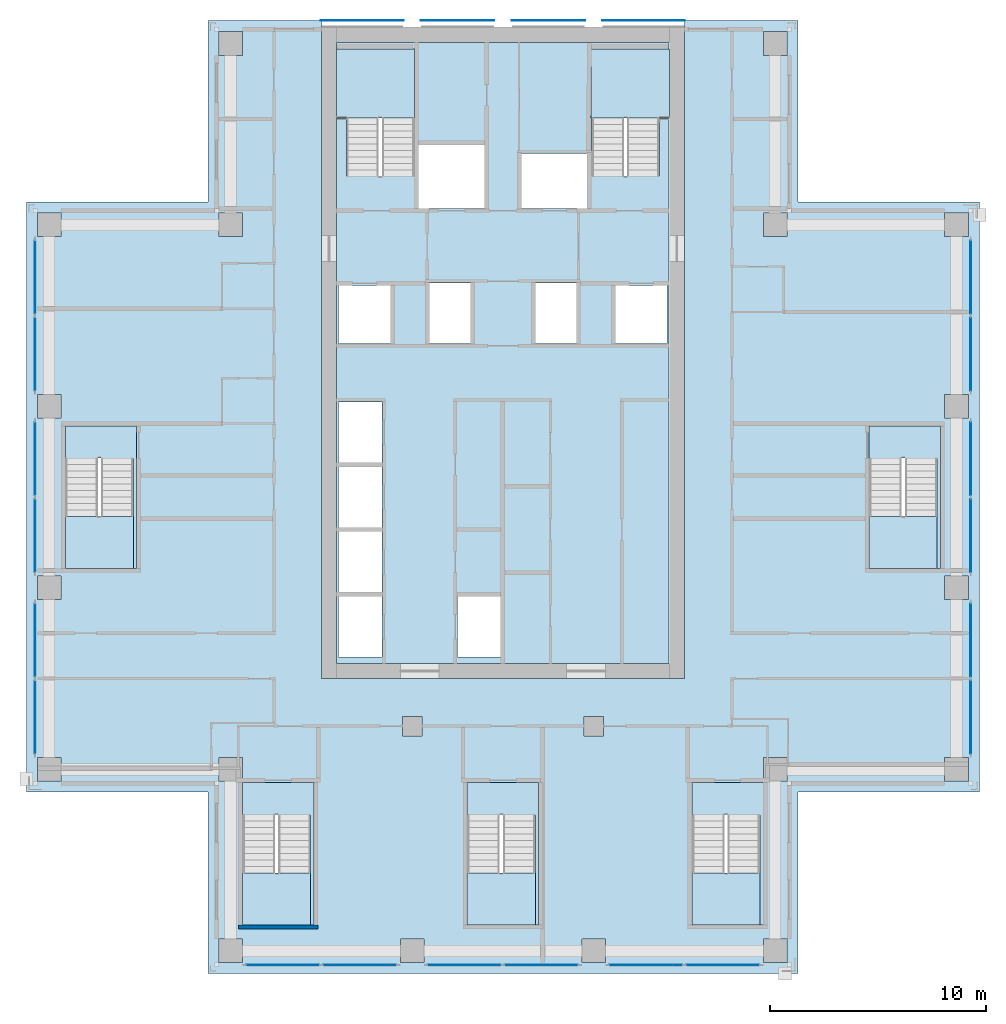
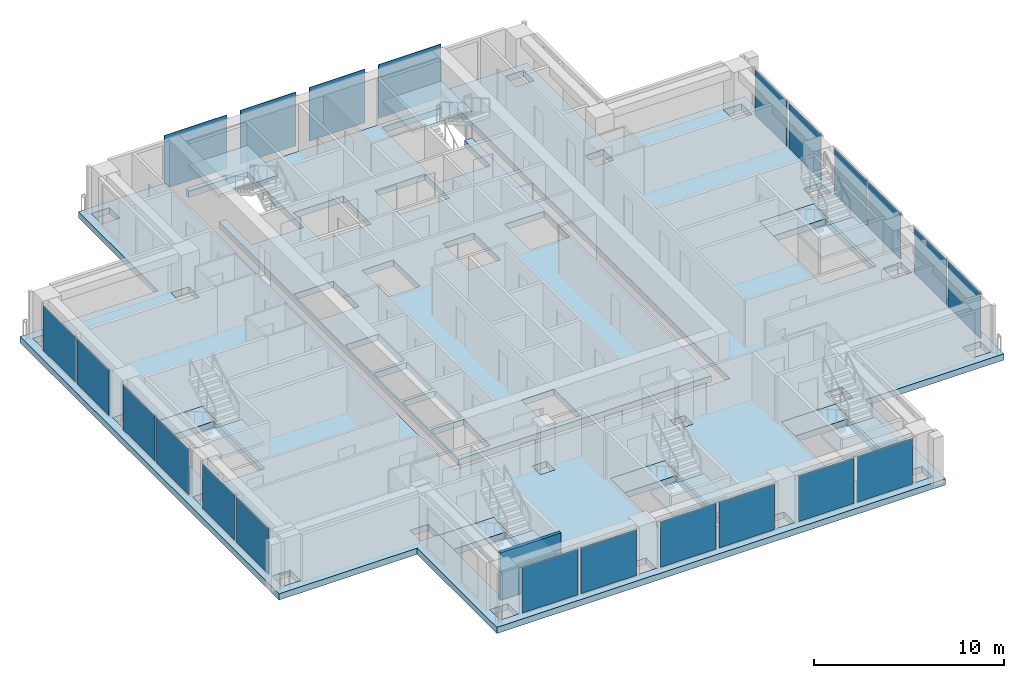
# One storey, part 8 of 16: 22 plates, 14 slabs, 1 wall, 16 elements without a shape of their own.
"""IFC4 building model written with IfcOpenShell, lengths in metres."""

from ifc_helpers import new_model, si_unit, direction, frame, frame_2d, origin, origin_2d, place, context, subcontext, project, spatial, polyline, rectangle, outline, extrude, material, layer, layer_set, type_object, element, aggregate, save


model = new_model("IFC4")

# Units and contexts
model_context = context("Model", 3, precision=1e-05, world=origin(), true_north=direction((0.0, 1.0)))
body_context = subcontext(model_context, "Body", "Model", "MODEL_VIEW")
ifc_project = project(units=[si_unit("LENGTHUNIT", "METRE"), si_unit("AREAUNIT", "SQUARE_METRE"), si_unit("VOLUMEUNIT", "CUBIC_METRE"), si_unit("PLANEANGLEUNIT", "RADIAN"), si_unit("MASSUNIT", "GRAM", prefix="KILO")], contexts=[model_context])

# Site, building, storey
site_placement = place(None, origin())
site = spatial("IfcSite", under=ifc_project, at=site_placement, CompositionType="ELEMENT")
building_placement = place(site_placement, origin())
building = spatial("IfcBuilding", under=site, at=building_placement, Name="Vermilion Ogive Tower", CompositionType="ELEMENT")
storey_placement = place(building_placement, frame((0.0, 0.0, 160.699951171875)))
storey = spatial("IfcBuildingStorey", under=building, at=storey_placement, Name="L41", CompositionType="ELEMENT", Elevation=160.699951171875)

# Curtain wall, plates
ifc_material_1 = material(Name="Low-iron laminated glazing in aluminium frame", Category="aluminium")
curtain_wall_type = type_object("IfcCurtainWallType", Name="Curtain wall CW7", PredefinedType="NOTDEFINED", material=ifc_material_1)
curtain_wall_1_placement = place(storey_placement, origin())
curtain_wall_1 = element("IfcCurtainWall", 1, at=curtain_wall_1_placement, inside=storey, type_object=curtain_wall_type, Name="Glazed skin S1", PredefinedType="NOTDEFINED")
ifc_material_2 = material(Name="Low-iron laminated glazing in aluminium frame", Category="aluminium")
ifc_layer_1 = layer(ifc_material_2, 0.031982421875)
ifc_layer_set_1 = layer_set([ifc_layer_1], Name="CW7 glazing panel 32")
plate_type_1 = type_object("IfcPlateType", Name="CW7 glazing panel 32", PredefinedType="CURTAIN_PANEL", material=ifc_layer_set_1)
plate_1_placement = place(storey_placement, frame((-10.179931640625, -21.64990234375, 0.06005859375), z_axis=(0.0, 0.0, 1.0), x_axis=(1.0, 0.0, 0.0)))
plate_1 = element("IfcPlate", 2, at=plate_1_placement, type_object=plate_type_1, Name="CW7-S1 panel 1.1", PredefinedType="CURTAIN_PANEL", context=body_context, shape_type="SweptSolid", body=[
    extrude(rectangle(XDim=3.3798828125, YDim=0.031982421875, at=origin_2d()), origin(), (0.0, 0.0, 1.0), 2.929931640625),
])
plate_2_placement = place(storey_placement, frame((-6.6201171875, -21.64990234375, 0.06005859375), z_axis=(0.0, 0.0, 1.0), x_axis=(1.0, 0.0, 0.0)))
plate_2 = element("IfcPlate", 3, at=plate_2_placement, type_object=plate_type_1, Name="CW7-S1 panel 2.1", PredefinedType="CURTAIN_PANEL", context=body_context, shape_type="SweptSolid", body=[
    extrude(rectangle(XDim=3.3798828125, YDim=0.031982421875, at=origin_2d()), origin(), (0.0, 0.0, 1.0), 2.929931640625),
])
aggregate(curtain_wall_1, [plate_1, plate_2])

curtain_wall_2_placement = place(storey_placement, origin())
curtain_wall_2 = element("IfcCurtainWall", 4, at=curtain_wall_2_placement, inside=storey, type_object=curtain_wall_type, Name="Glazed skin S2", PredefinedType="NOTDEFINED")
plate_3_placement = place(storey_placement, frame((-1.780029296875, -21.64990234375, 0.06005859375), z_axis=(0.0, 0.0, 1.0), x_axis=(1.0, 0.0, 0.0)))
plate_3 = element("IfcPlate", 5, at=plate_3_placement, type_object=plate_type_1, Name="CW7-S2 panel 1.1", PredefinedType="CURTAIN_PANEL", context=body_context, shape_type="SweptSolid", body=[
    extrude(rectangle(XDim=3.3798828125, YDim=0.031982421875, at=origin_2d()), origin(), (0.0, 0.0, 1.0), 2.929931640625),
])
plate_4_placement = place(storey_placement, frame((1.780029296875, -21.64990234375, 0.06005859375), z_axis=(0.0, 0.0, 1.0), x_axis=(1.0, 0.0, 0.0)))
plate_4 = element("IfcPlate", 6, at=plate_4_placement, type_object=plate_type_1, Name="CW7-S2 panel 2.1", PredefinedType="CURTAIN_PANEL", context=body_context, shape_type="SweptSolid", body=[
    extrude(rectangle(XDim=3.3798828125, YDim=0.031982421875, at=origin_2d()), origin(), (0.0, 0.0, 1.0), 2.929931640625),
])
aggregate(curtain_wall_2, [plate_3, plate_4])

curtain_wall_3_placement = place(storey_placement, origin())
curtain_wall_3 = element("IfcCurtainWall", 7, at=curtain_wall_3_placement, inside=storey, type_object=curtain_wall_type, Name="Glazed skin S3", PredefinedType="NOTDEFINED")
plate_5_placement = place(storey_placement, frame((6.6201171875, -21.64990234375, 0.06005859375), z_axis=(0.0, 0.0, 1.0), x_axis=(1.0, 0.0, 0.0)))
plate_5 = element("IfcPlate", 8, at=plate_5_placement, type_object=plate_type_1, Name="CW7-S3 panel 1.1", PredefinedType="CURTAIN_PANEL", context=body_context, shape_type="SweptSolid", body=[
    extrude(rectangle(XDim=3.3798828125, YDim=0.031982421875, at=origin_2d()), origin(), (0.0, 0.0, 1.0), 2.929931640625),
])
plate_6_placement = place(storey_placement, frame((10.179931640625, -21.64990234375, 0.06005859375), z_axis=(0.0, 0.0, 1.0), x_axis=(1.0, 0.0, 0.0)))
plate_6 = element("IfcPlate", 9, at=plate_6_placement, type_object=plate_type_1, Name="CW7-S3 panel 2.1", PredefinedType="CURTAIN_PANEL", context=body_context, shape_type="SweptSolid", body=[
    extrude(rectangle(XDim=3.3798828125, YDim=0.031982421875, at=origin_2d()), origin(), (0.0, 0.0, 1.0), 2.929931640625),
])
aggregate(curtain_wall_3, [plate_5, plate_6])

curtain_wall_4_placement = place(storey_placement, origin())
curtain_wall_4 = element("IfcCurtainWall", 10, at=curtain_wall_4_placement, inside=storey, type_object=curtain_wall_type, Name="Glazed skin E1", PredefinedType="NOTDEFINED")
plate_7_placement = place(storey_placement, frame((21.64990234375, -10.179931640625, 0.06005859375), z_axis=(0.0, 0.0, 1.0), x_axis=(0.0, 1.0, 0.0)))
plate_7 = element("IfcPlate", 11, at=plate_7_placement, type_object=plate_type_1, Name="CW7-E1 panel 1.1", PredefinedType="CURTAIN_PANEL", context=body_context, shape_type="SweptSolid", body=[
    extrude(rectangle(XDim=3.3798828125, YDim=0.031982421875, at=origin_2d()), origin(), (0.0, 0.0, 1.0), 2.929931640625),
])
plate_8_placement = place(storey_placement, frame((21.64990234375, -6.6201171875, 0.06005859375), z_axis=(0.0, 0.0, 1.0), x_axis=(0.0, 1.0, 0.0)))
plate_8 = element("IfcPlate", 12, at=plate_8_placement, type_object=plate_type_1, Name="CW7-E1 panel 2.1", PredefinedType="CURTAIN_PANEL", context=body_context, shape_type="SweptSolid", body=[
    extrude(rectangle(XDim=3.3798828125, YDim=0.031982421875, at=origin_2d()), origin(), (0.0, 0.0, 1.0), 2.929931640625),
])
aggregate(curtain_wall_4, [plate_7, plate_8])

curtain_wall_5_placement = place(storey_placement, origin())
curtain_wall_5 = element("IfcCurtainWall", 13, at=curtain_wall_5_placement, inside=storey, type_object=curtain_wall_type, Name="Glazed skin E2", PredefinedType="NOTDEFINED")
plate_9_placement = place(storey_placement, frame((21.64990234375, -1.780029296875, 0.06005859375), z_axis=(0.0, 0.0, 1.0), x_axis=(0.0, 1.0, 0.0)))
plate_9 = element("IfcPlate", 14, at=plate_9_placement, type_object=plate_type_1, Name="CW7-E2 panel 1.1", PredefinedType="CURTAIN_PANEL", context=body_context, shape_type="SweptSolid", body=[
    extrude(rectangle(XDim=3.3798828125, YDim=0.031982421875, at=origin_2d()), origin(), (0.0, 0.0, 1.0), 2.929931640625),
])
plate_10_placement = place(storey_placement, frame((21.64990234375, 1.780029296875, 0.06005859375), z_axis=(0.0, 0.0, 1.0), x_axis=(0.0, 1.0, 0.0)))
plate_10 = element("IfcPlate", 15, at=plate_10_placement, type_object=plate_type_1, Name="CW7-E2 panel 2.1", PredefinedType="CURTAIN_PANEL", context=body_context, shape_type="SweptSolid", body=[
    extrude(rectangle(XDim=3.3798828125, YDim=0.031982421875, at=origin_2d()), origin(), (0.0, 0.0, 1.0), 2.929931640625),
])
aggregate(curtain_wall_5, [plate_9, plate_10])

curtain_wall_6_placement = place(storey_placement, origin())
curtain_wall_6 = element("IfcCurtainWall", 16, at=curtain_wall_6_placement, inside=storey, type_object=curtain_wall_type, Name="Glazed skin E3", PredefinedType="NOTDEFINED")
plate_11_placement = place(storey_placement, frame((21.64990234375, 6.6201171875, 0.06005859375), z_axis=(0.0, 0.0, 1.0), x_axis=(0.0, 1.0, 0.0)))
plate_11 = element("IfcPlate", 17, at=plate_11_placement, type_object=plate_type_1, Name="CW7-E3 panel 1.1", PredefinedType="CURTAIN_PANEL", context=body_context, shape_type="SweptSolid", body=[
    extrude(rectangle(XDim=3.3798828125, YDim=0.031982421875, at=origin_2d()), origin(), (0.0, 0.0, 1.0), 2.929931640625),
])
plate_12_placement = place(storey_placement, frame((21.64990234375, 10.179931640625, 0.06005859375), z_axis=(0.0, 0.0, 1.0), x_axis=(0.0, 1.0, 0.0)))
plate_12 = element("IfcPlate", 18, at=plate_12_placement, type_object=plate_type_1, Name="CW7-E3 panel 2.1", PredefinedType="CURTAIN_PANEL", context=body_context, shape_type="SweptSolid", body=[
    extrude(rectangle(XDim=3.3798828125, YDim=0.031982421875, at=origin_2d()), origin(), (0.0, 0.0, 1.0), 2.929931640625),
])
aggregate(curtain_wall_6, [plate_11, plate_12])

curtain_wall_7_placement = place(storey_placement, origin())
curtain_wall_7 = element("IfcCurtainWall", 19, at=curtain_wall_7_placement, inside=storey, type_object=curtain_wall_type, Name="Glazed skin W1", PredefinedType="NOTDEFINED")
plate_13_placement = place(storey_placement, frame((-21.64990234375, 10.179931640625, 0.06005859375), z_axis=(0.0, 0.0, 1.0), x_axis=(0.0, -1.0, 0.0)))
plate_13 = element("IfcPlate", 20, at=plate_13_placement, type_object=plate_type_1, Name="CW7-W1 panel 1.1", PredefinedType="CURTAIN_PANEL", context=body_context, shape_type="SweptSolid", body=[
    extrude(rectangle(XDim=3.3798828125, YDim=0.031982421875, at=origin_2d()), origin(), (0.0, 0.0, 1.0), 2.929931640625),
])
plate_14_placement = place(storey_placement, frame((-21.64990234375, 6.6201171875, 0.06005859375), z_axis=(0.0, 0.0, 1.0), x_axis=(0.0, -1.0, 0.0)))
plate_14 = element("IfcPlate", 21, at=plate_14_placement, type_object=plate_type_1, Name="CW7-W1 panel 2.1", PredefinedType="CURTAIN_PANEL", context=body_context, shape_type="SweptSolid", body=[
    extrude(rectangle(XDim=3.3798828125, YDim=0.031982421875, at=origin_2d()), origin(), (0.0, 0.0, 1.0), 2.929931640625),
])
aggregate(curtain_wall_7, [plate_13, plate_14])

curtain_wall_8_placement = place(storey_placement, origin())
curtain_wall_8 = element("IfcCurtainWall", 22, at=curtain_wall_8_placement, inside=storey, type_object=curtain_wall_type, Name="Glazed skin W2", PredefinedType="NOTDEFINED")
plate_15_placement = place(storey_placement, frame((-21.64990234375, 1.780029296875, 0.06005859375), z_axis=(0.0, 0.0, 1.0), x_axis=(0.0, -1.0, 0.0)))
plate_15 = element("IfcPlate", 23, at=plate_15_placement, type_object=plate_type_1, Name="CW7-W2 panel 1.1", PredefinedType="CURTAIN_PANEL", context=body_context, shape_type="SweptSolid", body=[
    extrude(rectangle(XDim=3.3798828125, YDim=0.031982421875, at=origin_2d()), origin(), (0.0, 0.0, 1.0), 2.929931640625),
])
plate_16_placement = place(storey_placement, frame((-21.64990234375, -1.780029296875, 0.06005859375), z_axis=(0.0, 0.0, 1.0), x_axis=(0.0, -1.0, 0.0)))
plate_16 = element("IfcPlate", 24, at=plate_16_placement, type_object=plate_type_1, Name="CW7-W2 panel 2.1", PredefinedType="CURTAIN_PANEL", context=body_context, shape_type="SweptSolid", body=[
    extrude(rectangle(XDim=3.3798828125, YDim=0.031982421875, at=origin_2d()), origin(), (0.0, 0.0, 1.0), 2.929931640625),
])
aggregate(curtain_wall_8, [plate_15, plate_16])

curtain_wall_9_placement = place(storey_placement, origin())
curtain_wall_9 = element("IfcCurtainWall", 25, at=curtain_wall_9_placement, inside=storey, type_object=curtain_wall_type, Name="Glazed skin W3", PredefinedType="NOTDEFINED")
plate_17_placement = place(storey_placement, frame((-21.64990234375, -6.6201171875, 0.06005859375), z_axis=(0.0, 0.0, 1.0), x_axis=(0.0, -1.0, 0.0)))
plate_17 = element("IfcPlate", 26, at=plate_17_placement, type_object=plate_type_1, Name="CW7-W3 panel 1.1", PredefinedType="CURTAIN_PANEL", context=body_context, shape_type="SweptSolid", body=[
    extrude(rectangle(XDim=3.3798828125, YDim=0.031982421875, at=origin_2d()), origin(), (0.0, 0.0, 1.0), 2.929931640625),
])
plate_18_placement = place(storey_placement, frame((-21.64990234375, -10.179931640625, 0.06005859375), z_axis=(0.0, 0.0, 1.0), x_axis=(0.0, -1.0, 0.0)))
plate_18 = element("IfcPlate", 27, at=plate_18_placement, type_object=plate_type_1, Name="CW7-W3 panel 2.1", PredefinedType="CURTAIN_PANEL", context=body_context, shape_type="SweptSolid", body=[
    extrude(rectangle(XDim=3.3798828125, YDim=0.031982421875, at=origin_2d()), origin(), (0.0, 0.0, 1.0), 2.929931640625),
])
aggregate(curtain_wall_9, [plate_17, plate_18])

# Slabs
ifc_material_3 = material(Name="Concrete B40", Category="concrete")
ifc_layer_2 = layer(ifc_material_3, 0.39990234375)
ifc_layer_set_2 = layer_set([ifc_layer_2], Name="Core floor slab 400 B40")
slab_type_1 = type_object("IfcSlabType", Name="Core floor slab 400 B40", PredefinedType="FLOOR", material=ifc_layer_set_2)
slab_1_placement = place(storey_placement, frame((0.0, 0.0, -0.39990234375)))
element("IfcSlab", 28, at=slab_1_placement, inside=storey, type_object=slab_type_1, Name="L41-CK-FS1", PredefinedType="FLOOR", context=body_context, shape_type="SweptSolid", body=[
    extrude(outline(polyline([(5.75, 14.85009765625), (5.60009765625, 14.85009765625), (5.60009765625, 14.85205078125), (4.10009765625, 14.85205078125), (4.10009765625, 17.550048828125), (4.074951171875, 17.550048828125), (4.074951171875, 20.75), (7.696044921875, 20.75), (7.696044921875, 21.0458984375), (-7.696044921875, 21.0458984375), (-7.696044921875, 20.75), (-4.10009765625, 20.75), (-4.10009765625, 14.85205078125), (-5.60009765625, 14.85205078125), (-5.60009765625, 14.85009765625), (-5.75, 14.85009765625), (-5.75, 14.85205078125), (-7.25, 14.85205078125), (-7.25, 17.550048828125), (-7.696044921875, 17.550048828125), (-7.696044921875, -7.696044921875), (7.696044921875, -7.696044921875), (7.696044921875, 17.550048828125), (7.25, 17.550048828125), (7.25, 14.85205078125), (5.75, 14.85205078125), (5.75, 14.85009765625)]), holes=[polyline([(-7.60009765625, -7.39990234375), (-7.60009765625, -4.60009765625), (-5.60009765625, -4.60009765625), (-5.60009765625, -7.39990234375), (-7.60009765625, -7.39990234375)]), polyline([(-7.60009765625, -4.39990234375), (-7.60009765625, -1.60009765625), (-5.60009765625, -1.60009765625), (-5.60009765625, -4.39990234375), (-7.60009765625, -4.39990234375)]), polyline([(-7.60009765625, -1.39990234375), (-7.60009765625, 1.39990234375), (-5.60009765625, 1.39990234375), (-5.60009765625, -1.39990234375), (-7.60009765625, -1.39990234375)]), polyline([(-7.60009765625, 1.60009765625), (-7.60009765625, 4.39990234375), (-5.60009765625, 4.39990234375), (-5.60009765625, 1.60009765625), (-7.60009765625, 1.60009765625)]), polyline([(-7.60009765625, 7.10009765625), (-7.60009765625, 9.800048828125), (-5.199951171875, 9.800048828125), (-5.199951171875, 7.10009765625), (-7.60009765625, 7.10009765625)]), polyline([(-3.39990234375, 9.89990234375), (-1.5, 9.89990234375), (-1.5, 7.10009765625), (-3.39990234375, 7.10009765625), (-3.39990234375, 9.89990234375)]), polyline([(-2.10009765625, -7.39990234375), (-2.10009765625, -4.60009765625), (-0.10009765625, -4.60009765625), (-0.10009765625, -7.39990234375), (-2.10009765625, -7.39990234375)]), polyline([(5.199951171875, 7.10009765625), (5.199951171875, 9.800048828125), (7.60009765625, 9.800048828125), (7.60009765625, 7.10009765625), (5.199951171875, 7.10009765625)]), polyline([(1.5, 7.10009765625), (1.5, 9.89990234375), (3.39990234375, 9.89990234375), (3.39990234375, 7.10009765625), (1.5, 7.10009765625)]), polyline([(0.85009765625, 13.35009765625), (0.85009765625, 15.89990234375), (3.89990234375, 15.89990234375), (3.89990234375, 13.35009765625), (0.85009765625, 13.35009765625)]), polyline([(-3.89990234375, 16.300048828125), (-0.85009765625, 16.300048828125), (-0.85009765625, 13.35009765625), (-3.89990234375, 13.35009765625), (-3.89990234375, 16.300048828125)])]), origin(), (0.0, 0.0, 1.0), 0.39990234375),
])
slab_2_placement = place(storey_placement, frame((0.0, 0.0, -0.39990234375)))
element("IfcSlab", 29, at=slab_2_placement, inside=storey, type_object=slab_type_1, Name="L41-SF-ST3-1", PredefinedType="FLOOR", context=body_context, shape_type="SweptSolid", body=[
    extrude(outline(polyline([(-12.050048828125, -13.199951171875), (-12.050048828125, -14.701904296875), (-10.550048828125, -14.701904296875), (-10.550048828125, -14.699951171875), (-10.39990234375, -14.699951171875), (-10.39990234375, -14.701904296875), (-8.89990234375, -14.701904296875), (-8.89990234375, -19.800048828125), (-8.75, -19.800048828125), (-8.75, -13.199951171875), (-12.050048828125, -13.199951171875)])), origin(), (0.0, 0.0, 1.0), 0.39990234375),
])
slab_3_placement = place(storey_placement, frame((0.0, 0.0, -0.39990234375)))
element("IfcSlab", 30, at=slab_3_placement, inside=storey, type_object=slab_type_1, Name="L41-SF-ST4-1", PredefinedType="FLOOR", context=body_context, shape_type="SweptSolid", body=[
    extrude(outline(polyline([(-1.64990234375, -13.199951171875), (-1.64990234375, -14.701904296875), (-0.14990234375, -14.701904296875), (-0.14990234375, -14.699951171875), (0.0, -14.699951171875), (0.0, -14.701904296875), (1.5, -14.701904296875), (1.5, -19.800048828125), (1.64990234375, -19.800048828125), (1.64990234375, -13.199951171875), (-1.64990234375, -13.199951171875)])), origin(), (0.0, 0.0, 1.0), 0.39990234375),
])
slab_4_placement = place(storey_placement, frame((0.0, 0.0, -0.39990234375)))
element("IfcSlab", 31, at=slab_4_placement, inside=storey, type_object=slab_type_1, Name="L41-SF-ST5-1", PredefinedType="FLOOR", context=body_context, shape_type="SweptSolid", body=[
    extrude(outline(polyline([(8.75, -13.199951171875), (8.75, -14.701904296875), (10.25, -14.701904296875), (10.25, -14.699951171875), (10.39990234375, -14.699951171875), (10.39990234375, -14.701904296875), (11.89990234375, -14.701904296875), (11.89990234375, -19.800048828125), (12.050048828125, -19.800048828125), (12.050048828125, -13.199951171875), (8.75, -13.199951171875)])), origin(), (0.0, 0.0, 1.0), 0.39990234375),
])
slab_5_placement = place(storey_placement, frame((0.0, 0.0, -0.39990234375)))
element("IfcSlab", 32, at=slab_5_placement, inside=storey, type_object=slab_type_1, Name="L41-SF-ST8-1", PredefinedType="FLOOR", context=body_context, shape_type="SweptSolid", body=[
    extrude(outline(polyline([(16.949951171875, 3.300048828125), (16.949951171875, 1.798095703125), (18.449951171875, 1.798095703125), (18.449951171875, 1.800048828125), (18.60009765625, 1.800048828125), (18.60009765625, 1.798095703125), (20.10009765625, 1.798095703125), (20.10009765625, -3.300048828125), (20.25, -3.300048828125), (20.25, 3.300048828125), (16.949951171875, 3.300048828125)])), origin(), (0.0, 0.0, 1.0), 0.39990234375),
])
slab_6_placement = place(storey_placement, frame((0.0, 0.0, -0.39990234375)))
element("IfcSlab", 33, at=slab_6_placement, inside=storey, type_object=slab_type_1, Name="L41-SF-ST9-1", PredefinedType="FLOOR", context=body_context, shape_type="SweptSolid", body=[
    extrude(outline(polyline([(-20.25, 3.300048828125), (-20.25, 1.798095703125), (-18.75, 1.798095703125), (-18.75, 1.800048828125), (-18.60009765625, 1.800048828125), (-18.60009765625, 1.798095703125), (-17.10009765625, 1.798095703125), (-17.10009765625, -3.300048828125), (-16.949951171875, -3.300048828125), (-16.949951171875, 3.300048828125), (-20.25, 3.300048828125)])), origin(), (0.0, 0.0, 1.0), 0.39990234375),
])

# Plates
ifc_material_4 = material(Name="Low-iron laminated glazing in aluminium frame", Category="aluminium")
ifc_layer_3 = layer(ifc_material_4, 0.031982421875)
ifc_layer_set_3 = layer_set([ifc_layer_3], Name="Glazed rainscreen sheet 32")
plate_type_2 = type_object("IfcPlateType", Name="Glazed rainscreen sheet 32", PredefinedType="SHEET", material=ifc_layer_set_3)
plate_19_placement = place(storey_placement, frame((-6.510009765625, 22.06591796875, -0.39990234375), z_axis=(0.0, 0.0, 1.0), x_axis=(1.0, 0.0, 0.0)))
element("IfcPlate", 34, at=plate_19_placement, inside=storey, type_object=plate_type_2, Name="Glazed rainscreen sheet N1", PredefinedType="SHEET", context=body_context, shape_type="SweptSolid", body=[
    extrude(rectangle(XDim=3.820068359375, YDim=0.031982421875, at=origin_2d()), origin(), (0.0, 0.0, 1.0), 3.449951171875),
])
for number, where, z_axis, x_axis, name in (
    (35, (-2.10009765625, 22.06591796875, -0.39990234375), (0.0, 0.0, 1.0), (1.0, 0.0, 0.0), "Glazed rainscreen sheet N2"),
    (36, (2.10009765625, 22.06591796875, -0.39990234375), (0.0, 0.0, 1.0), (1.0, 0.0, 0.0), "Glazed rainscreen sheet N3"),
):
    element("IfcPlate", number, at=place(storey_placement, frame(where, z_axis=z_axis, x_axis=x_axis)), inside=storey, type_object=plate_type_2, Name=name, PredefinedType="SHEET", context=body_context, shape_type="SweptSolid", body=[
        extrude(rectangle(XDim=3.39990234375, YDim=0.031982421875, at=origin_2d()), origin(), (0.0, 0.0, 1.0), 3.449951171875),
    ])
plate_20_placement = place(storey_placement, frame((6.510009765625, 22.06591796875, -0.39990234375), z_axis=(0.0, 0.0, 1.0), x_axis=(1.0, 0.0, 0.0)))
element("IfcPlate", 37, at=plate_20_placement, inside=storey, type_object=plate_type_2, Name="Glazed rainscreen sheet N4", PredefinedType="SHEET", context=body_context, shape_type="SweptSolid", body=[
    extrude(rectangle(XDim=3.820068359375, YDim=0.031982421875, at=origin_2d()), origin(), (0.0, 0.0, 1.0), 3.449951171875),
])

# Slab
ifc_material_5 = material(Name="Concrete B45", Category="concrete")
ifc_layer_4 = layer(ifc_material_5, 0.39990234375)
ifc_layer_set_4 = layer_set([ifc_layer_4], Name="Post-tensioned flat plate 400 B45")
slab_type_2 = type_object("IfcSlabType", Name="Post-tensioned flat plate 400 B45", PredefinedType="FLOOR", material=ifc_layer_set_4)
slab_7_placement = place(storey_placement, frame((0.0, 0.0, -0.39990234375)))
element("IfcSlab", 38, at=slab_7_placement, inside=storey, type_object=slab_type_2, Name="L41-SL-1", PredefinedType="FLOOR", context=body_context, shape_type="SweptSolid", body=[
    extrude(outline(polyline([(-13.64990234375, -13.64990234375), (-22.050048828125, -13.64990234375), (-22.050048828125, 13.64990234375), (-13.64990234375, 13.64990234375), (-13.64990234375, 22.050048828125), (-8.39990234375, 22.050048828125), (-8.39990234375, -8.39990234375), (8.39990234375, -8.39990234375), (8.39990234375, 22.050048828125), (13.64990234375, 22.050048828125), (13.64990234375, 13.64990234375), (22.050048828125, 13.64990234375), (22.050048828125, -13.64990234375), (13.64990234375, -13.64990234375), (13.64990234375, -22.050048828125), (-13.64990234375, -22.050048828125), (-13.64990234375, -13.64990234375)]), holes=[polyline([(21.550048828125, 12.050048828125), (21.550048828125, 13.14990234375), (20.449951171875, 13.14990234375), (20.449951171875, 12.050048828125), (21.550048828125, 12.050048828125)]), polyline([(21.550048828125, 3.64990234375), (21.550048828125, 4.75), (20.449951171875, 4.75), (20.449951171875, 3.64990234375), (21.550048828125, 3.64990234375)]), polyline([(21.550048828125, -4.75), (21.550048828125, -3.64990234375), (20.449951171875, -3.64990234375), (20.449951171875, -4.75), (21.550048828125, -4.75)]), polyline([(21.550048828125, -13.14990234375), (21.550048828125, -12.050048828125), (20.449951171875, -12.050048828125), (20.449951171875, -13.14990234375), (21.550048828125, -13.14990234375)]), polyline([(20.25, -3.300048828125), (20.25, 3.300048828125), (16.949951171875, 3.300048828125), (16.949951171875, -3.300048828125), (20.25, -3.300048828125)]), polyline([(13.14990234375, 20.449951171875), (13.14990234375, 21.550048828125), (12.050048828125, 21.550048828125), (12.050048828125, 20.449951171875), (13.14990234375, 20.449951171875)]), polyline([(13.14990234375, 12.050048828125), (13.14990234375, 13.14990234375), (12.050048828125, 13.14990234375), (12.050048828125, 12.050048828125), (13.14990234375, 12.050048828125)]), polyline([(13.14990234375, -13.14990234375), (13.14990234375, -12.050048828125), (12.050048828125, -12.050048828125), (12.050048828125, -13.14990234375), (13.14990234375, -13.14990234375)]), polyline([(13.14990234375, -21.550048828125), (13.14990234375, -20.449951171875), (12.050048828125, -20.449951171875), (12.050048828125, -21.550048828125), (13.14990234375, -21.550048828125)]), polyline([(12.050048828125, -19.800048828125), (12.050048828125, -13.199951171875), (8.75, -13.199951171875), (8.75, -19.800048828125), (12.050048828125, -19.800048828125)]), polyline([(4.75, -20.449951171875), (3.64990234375, -20.449951171875), (3.64990234375, -21.550048828125), (4.75, -21.550048828125), (4.75, -20.449951171875)]), polyline([(4.64990234375, -11.050048828125), (4.64990234375, -10.14990234375), (3.75, -10.14990234375), (3.75, -11.050048828125), (4.64990234375, -11.050048828125)]), polyline([(1.64990234375, -19.800048828125), (1.64990234375, -13.199951171875), (-1.64990234375, -13.199951171875), (-1.64990234375, -19.800048828125), (1.64990234375, -19.800048828125)]), polyline([(-3.64990234375, -21.550048828125), (-3.64990234375, -20.449951171875), (-4.75, -20.449951171875), (-4.75, -21.550048828125), (-3.64990234375, -21.550048828125)]), polyline([(-3.75, -11.050048828125), (-3.75, -10.14990234375), (-4.64990234375, -10.14990234375), (-4.64990234375, -11.050048828125), (-3.75, -11.050048828125)]), polyline([(-8.75, -19.800048828125), (-8.75, -13.199951171875), (-12.050048828125, -13.199951171875), (-12.050048828125, -19.800048828125), (-8.75, -19.800048828125)]), polyline([(-12.050048828125, 20.449951171875), (-12.050048828125, 21.550048828125), (-13.14990234375, 21.550048828125), (-13.14990234375, 20.449951171875), (-12.050048828125, 20.449951171875)]), polyline([(-12.050048828125, 12.050048828125), (-12.050048828125, 13.14990234375), (-13.14990234375, 13.14990234375), (-13.14990234375, 12.050048828125), (-12.050048828125, 12.050048828125)]), polyline([(-12.050048828125, -13.14990234375), (-12.050048828125, -12.050048828125), (-13.14990234375, -12.050048828125), (-13.14990234375, -13.14990234375), (-12.050048828125, -13.14990234375)]), polyline([(-12.050048828125, -20.449951171875), (-13.14990234375, -20.449951171875), (-13.14990234375, -21.550048828125), (-12.050048828125, -21.550048828125), (-12.050048828125, -20.449951171875)]), polyline([(-16.949951171875, -3.300048828125), (-16.949951171875, 3.300048828125), (-20.25, 3.300048828125), (-20.25, -3.300048828125), (-16.949951171875, -3.300048828125)]), polyline([(-20.449951171875, -13.14990234375), (-20.449951171875, -12.050048828125), (-21.550048828125, -12.050048828125), (-21.550048828125, -13.14990234375), (-20.449951171875, -13.14990234375)]), polyline([(-20.449951171875, 12.050048828125), (-20.449951171875, 13.14990234375), (-21.550048828125, 13.14990234375), (-21.550048828125, 12.050048828125), (-20.449951171875, 12.050048828125)]), polyline([(-20.449951171875, 3.64990234375), (-20.449951171875, 4.75), (-21.550048828125, 4.75), (-21.550048828125, 3.64990234375), (-20.449951171875, 3.64990234375)]), polyline([(-20.449951171875, -4.75), (-20.449951171875, -3.64990234375), (-21.550048828125, -3.64990234375), (-21.550048828125, -4.75), (-20.449951171875, -4.75)])]), origin(), (0.0, 0.0, 1.0), 0.39990234375),
])

# Stair, slab
ifc_material_6 = material(Name="Concrete B40", Category="concrete")
stair_type = type_object("IfcStairType", Name="Exit stair 1500", PredefinedType="HALF_TURN_STAIR", material=ifc_material_6)
stair_1_placement = place(storey_placement, origin())
stair_1 = element("IfcStair", 39, at=stair_1_placement, inside=storey, type_object=stair_type, Name="L41 Exit Stair ST1", PredefinedType="HALF_TURN_STAIR")
ifc_material_7 = material(Name="Concrete B40", Category="concrete")
ifc_layer_5 = layer(ifc_material_7, 0.199951171875)
ifc_layer_set_5 = layer_set([ifc_layer_5], Name="Stair landing 200")
slab_type_3 = type_object("IfcSlabType", Name="Stair landing 200", PredefinedType="LANDING", material=ifc_layer_set_5)
slab_8_placement = place(storey_placement, frame((0.0, 0.0, 1.525146484375)))
slab_8 = element("IfcSlab", 40, at=slab_8_placement, type_object=slab_type_3, Name="ST1 landing 1", PredefinedType="LANDING", context=body_context, shape_type="SweptSolid", body=[
    extrude(outline(polyline([(-7.699951171875, 17.550048828125), (-7.25, 17.550048828125), (-7.25, 17.548095703125), (-5.75, 17.548095703125), (-5.75, 17.550048828125), (-5.60009765625, 17.550048828125), (-5.60009765625, 17.548095703125), (-4.10009765625, 17.548095703125), (-4.10009765625, 20.75), (-7.699951171875, 20.75), (-7.699951171875, 17.550048828125)])), origin(), (0.0, 0.0, 1.0), 0.199951171875),
])
aggregate(stair_1, [slab_8])

stair_2_placement = place(storey_placement, origin())
stair_2 = element("IfcStair", 41, at=stair_2_placement, inside=storey, type_object=stair_type, Name="L41 Exit Stair ST2", PredefinedType="HALF_TURN_STAIR")
slab_9_placement = place(storey_placement, frame((0.0, 0.0, 1.525146484375)))
slab_9 = element("IfcSlab", 42, at=slab_9_placement, type_object=slab_type_3, Name="ST2 landing 1", PredefinedType="LANDING", context=body_context, shape_type="SweptSolid", body=[
    extrude(outline(polyline([(5.60009765625, 17.550048828125), (5.75, 17.550048828125), (5.75, 17.548095703125), (7.25, 17.548095703125), (7.25, 17.550048828125), (7.699951171875, 17.550048828125), (7.699951171875, 20.75), (4.074951171875, 20.75), (4.074951171875, 17.550048828125), (4.10009765625, 17.550048828125), (4.10009765625, 17.548095703125), (5.60009765625, 17.548095703125), (5.60009765625, 17.550048828125)])), origin(), (0.0, 0.0, 1.0), 0.199951171875),
])
aggregate(stair_2, [slab_9])

stair_3_placement = place(storey_placement, origin())
stair_3 = element("IfcStair", 43, at=stair_3_placement, inside=storey, type_object=stair_type, Name="L41 Exit Stair ST3", PredefinedType="HALF_TURN_STAIR")
slab_10_placement = place(storey_placement, frame((0.0, 0.0, 1.525146484375)))
slab_10 = element("IfcSlab", 44, at=slab_10_placement, type_object=slab_type_3, Name="ST3 landing 1", PredefinedType="LANDING", context=body_context, shape_type="SweptSolid", body=[
    extrude(outline(polyline([(-8.75, -17.39990234375), (-8.89990234375, -17.39990234375), (-8.89990234375, -17.39794921875), (-10.39990234375, -17.39794921875), (-10.39990234375, -17.39990234375), (-10.550048828125, -17.39990234375), (-10.550048828125, -17.39794921875), (-12.050048828125, -17.39794921875), (-12.050048828125, -17.402099609375), (-12.0498046875, -17.402099609375), (-12.0498046875, -19.7998046875), (-8.75, -19.7998046875), (-8.75, -17.39990234375)])), origin(), (0.0, 0.0, 1.0), 0.199951171875),
])
aggregate(stair_3, [slab_10])

stair_4_placement = place(storey_placement, origin())
stair_4 = element("IfcStair", 45, at=stair_4_placement, inside=storey, type_object=stair_type, Name="L41 Exit Stair ST4", PredefinedType="HALF_TURN_STAIR")
slab_11_placement = place(storey_placement, frame((0.0, 0.0, 1.525146484375)))
slab_11 = element("IfcSlab", 46, at=slab_11_placement, type_object=slab_type_3, Name="ST4 landing 1", PredefinedType="LANDING", context=body_context, shape_type="SweptSolid", body=[
    extrude(outline(polyline([(1.64990234375, -17.39990234375), (1.5, -17.39990234375), (1.5, -17.39794921875), (0.0, -17.39794921875), (0.0, -17.39990234375), (-0.14990234375, -17.39990234375), (-0.14990234375, -17.39794921875), (-1.64990234375, -17.39794921875), (-1.64990234375, -19.7998046875), (1.64990234375, -19.7998046875), (1.64990234375, -17.39990234375)])), origin(), (0.0, 0.0, 1.0), 0.199951171875),
])
aggregate(stair_4, [slab_11])

stair_5_placement = place(storey_placement, origin())
stair_5 = element("IfcStair", 47, at=stair_5_placement, inside=storey, type_object=stair_type, Name="L41 Exit Stair ST5", PredefinedType="HALF_TURN_STAIR")
slab_12_placement = place(storey_placement, frame((0.0, 0.0, 1.525146484375)))
slab_12 = element("IfcSlab", 48, at=slab_12_placement, type_object=slab_type_3, Name="ST5 landing 1", PredefinedType="LANDING", context=body_context, shape_type="SweptSolid", body=[
    extrude(outline(polyline([(12.0498046875, -17.39990234375), (11.89990234375, -17.39990234375), (11.89990234375, -17.39794921875), (10.39990234375, -17.39794921875), (10.39990234375, -17.39990234375), (10.25, -17.39990234375), (10.25, -17.39794921875), (8.75, -17.39794921875), (8.75, -17.39990234375), (8.75, -17.39990234375), (8.75, -19.7998046875), (12.0498046875, -19.7998046875), (12.0498046875, -17.39990234375)])), origin(), (0.0, 0.0, 1.0), 0.199951171875),
])
aggregate(stair_5, [slab_12])

stair_6_placement = place(storey_placement, origin())
stair_6 = element("IfcStair", 49, at=stair_6_placement, inside=storey, type_object=stair_type, Name="L41 Exit Stair ST8", PredefinedType="HALF_TURN_STAIR")
slab_13_placement = place(storey_placement, frame((0.0, 0.0, 1.525146484375)))
slab_13 = element("IfcSlab", 50, at=slab_13_placement, type_object=slab_type_3, Name="ST8 landing 1", PredefinedType="LANDING", context=body_context, shape_type="SweptSolid", body=[
    extrude(outline(polyline([(20.25, -0.89990234375), (20.10009765625, -0.89990234375), (20.10009765625, -0.89794921875), (18.60009765625, -0.89794921875), (18.60009765625, -0.89990234375), (18.449951171875, -0.89990234375), (18.449951171875, -0.89794921875), (16.949951171875, -0.89794921875), (16.949951171875, -0.902099609375), (16.9501953125, -0.902099609375), (16.9501953125, -3.2998046875), (20.25, -3.2998046875), (20.25, -0.89990234375)])), origin(), (0.0, 0.0, 1.0), 0.199951171875),
])
aggregate(stair_6, [slab_13])

stair_7_placement = place(storey_placement, origin())
stair_7 = element("IfcStair", 51, at=stair_7_placement, inside=storey, type_object=stair_type, Name="L41 Exit Stair ST9", PredefinedType="HALF_TURN_STAIR")
slab_14_placement = place(storey_placement, frame((0.0, 0.0, 1.525146484375)))
slab_14 = element("IfcSlab", 52, at=slab_14_placement, type_object=slab_type_3, Name="ST9 landing 1", PredefinedType="LANDING", context=body_context, shape_type="SweptSolid", body=[
    extrude(outline(polyline([(-16.9501953125, -0.89990234375), (-17.10009765625, -0.89990234375), (-17.10009765625, -0.89794921875), (-18.60009765625, -0.89794921875), (-18.60009765625, -0.89990234375), (-18.75, -0.89990234375), (-18.75, -0.89794921875), (-20.25, -0.89794921875), (-20.25, -0.89990234375), (-20.25, -0.89990234375), (-20.25, -3.2998046875), (-16.9501953125, -3.2998046875), (-16.9501953125, -0.89990234375)])), origin(), (0.0, 0.0, 1.0), 0.199951171875),
])
aggregate(stair_7, [slab_14])

# Wall
ifc_material_8 = material(Name="Concrete B60", Category="concrete")
ifc_layer_6 = layer(ifc_material_8, 0.199951171875)
ifc_layer_set_6 = layer_set([ifc_layer_6], Name="Stair shaft wall 200 Concrete B60")
wall_type = type_object("IfcWallType", Name="Stair shaft wall 200 Concrete B60", PredefinedType="SOLIDWALL", material=ifc_layer_set_6)
wall_placement = place(storey_placement, frame((-12.248046875, -19.89990234375, 0.0), z_axis=(0.0, 0.0, 1.0), x_axis=(1.0, 0.0, 0.0)))
element("IfcWall", 53, at=wall_placement, inside=storey, type_object=wall_type, Name="L41-W-W001", PredefinedType="SOLIDWALL", context=body_context, shape_type="SweptSolid", body=[
    extrude(rectangle(XDim=3.696044921875, YDim=0.199951171875, at=frame_2d((1.84814453125, 0.0))), origin(), (0.0, 0.0, 1.0), 3.050048828125),
])

save(model, "model.ifc")
